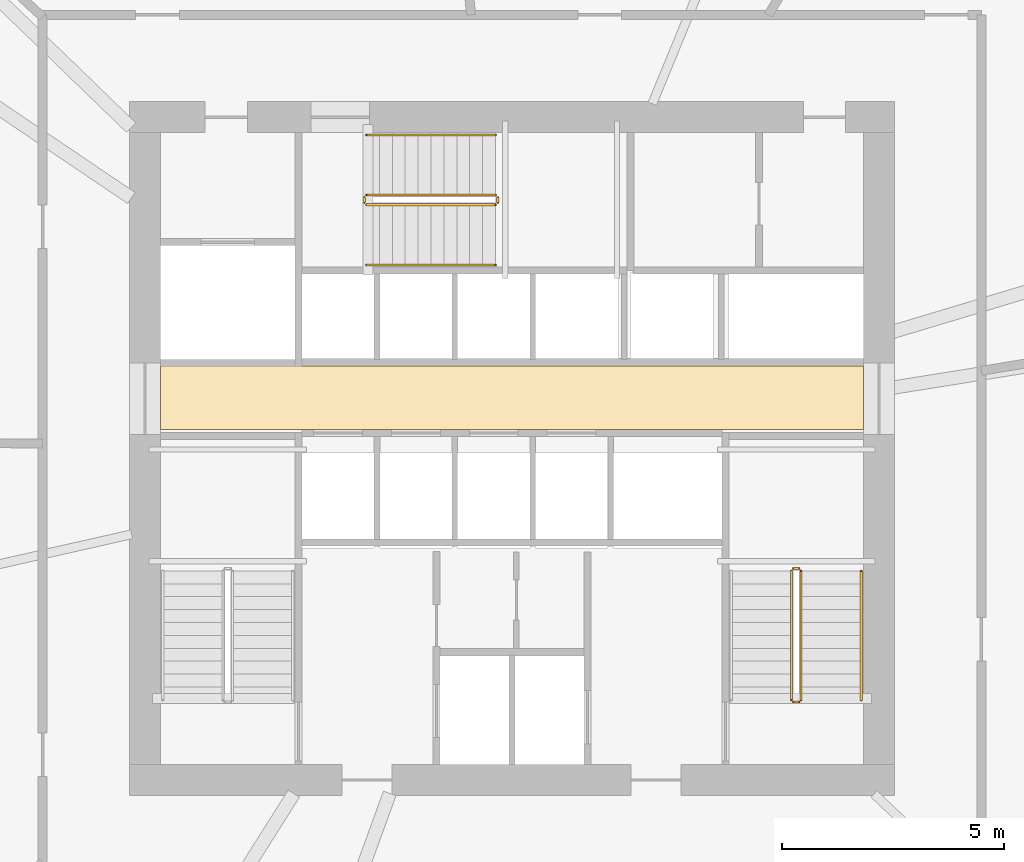
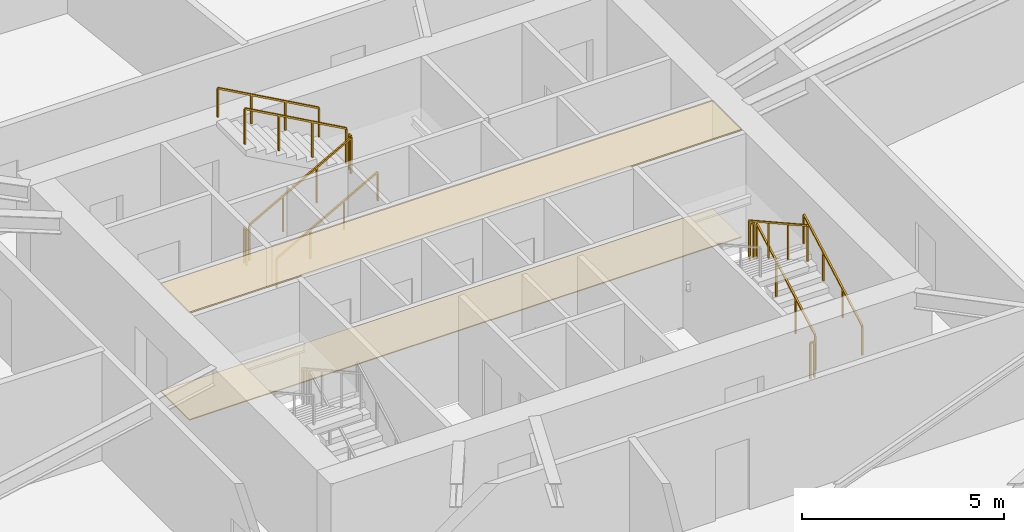
# One storey, part 18 of 19: 11 railings, 2 coverings.
"""IFC4 building model written with IfcOpenShell, lengths in metres."""

import ifcopenshell
import ifcopenshell.guid

model = None  # the IFC model being written
_history = None  # IfcOwnerHistory: only IFC2X3 demands one
_inside = {}  # id of a spatial element -> (the spatial element, [elements in it])
_under = {}  # id of a project, library or spatial element -> (it, [spatial elements below it])
_declared = {}  # id of a project -> (the project, [libraries it declares])
_typed = {}  # id of a type object -> (the type object, [elements of that type])
_made_of = {}  # id of a material, layer set ... -> (it, [elements and type objects made of it])


def new_model(schema):
    """Start an empty IFC model of exactly this schema.

    Asked for "IFC4X3", IfcOpenShell would pick the latest addendum, in which some entities
    have other attributes; the version numbers below select the first issue.
    IFC2X3 requires an IfcOwnerHistory on every rooted entity: one is made here for all.
    """
    global model, _history
    if schema == "IFC4X3":
        model = ifcopenshell.file(schema_version=(4, 3, 0, 0))
    else:
        model = ifcopenshell.file(schema=schema)
    _inside.clear()
    _under.clear()
    _declared.clear()
    _typed.clear()
    _made_of.clear()
    _history = None
    if model.schema == "IFC2X3":
        org = make("IfcOrganization", Name="unknown")
        user = make(
            "IfcPersonAndOrganization",
            ThePerson=make("IfcPerson", FamilyName="unknown"),
            TheOrganization=org,
        )
        app = make(
            "IfcApplication",
            ApplicationDeveloper=org,
            Version="unknown",
            ApplicationFullName="unknown",
            ApplicationIdentifier="unknown",
        )
        _history = make(
            "IfcOwnerHistory",
            OwningUser=user,
            OwningApplication=app,
            ChangeAction="ADDED",
            CreationDate=0,
        )
    return model


def make(cls, **values):
    """One entity of the class cls with the attributes given. An attribute that is None is left unset."""
    return model.create_entity(
        cls, **{name: value for name, value in values.items() if value is not None}
    )


def rooted(cls, **values):
    """An entity with a GlobalId (a new one), such as an element, a storey or a relation."""
    return make(cls, GlobalId=ifcopenshell.guid.new(), OwnerHistory=_history, **values)


def si_unit(unit_type, name, prefix=None):
    """IfcSIUnit, for example si_unit("LENGTHUNIT", "METRE", prefix="MILLI")."""
    return make("IfcSIUnit", UnitType=unit_type, Prefix=prefix, Name=name)


def assignment(units):
    """IfcUnitAssignment: the units of a project."""
    return None if units is None else make("IfcUnitAssignment", Units=units)


def point(xyz):
    """IfcCartesianPoint."""
    return None if xyz is None else make("IfcCartesianPoint", Coordinates=xyz)


def direction(xyz):
    """IfcDirection."""
    return None if xyz is None else make("IfcDirection", DirectionRatios=xyz)


def frame(location, z_axis=None, x_axis=None):
    """IfcAxis2Placement3D, a coordinate frame: its origin and axes. An axis left out is left unset."""
    return make(
        "IfcAxis2Placement3D",
        Location=point(location),
        Axis=direction(z_axis),
        RefDirection=direction(x_axis),
    )


def frame_2d(location, x_axis=None):
    """IfcAxis2Placement2D, a coordinate frame in the plane: its origin and x axis."""
    return make(
        "IfcAxis2Placement2D", Location=point(location), RefDirection=direction(x_axis)
    )


def origin():
    """The frame at (0, 0, 0) with its axes left unset."""
    return frame((0.0, 0.0, 0.0))


def origin_2d():
    """The frame at (0, 0) in the plane with its x axis left unset."""
    return frame_2d((0.0, 0.0))


def place(relative_to, where):
    """IfcLocalPlacement: puts the frame where relative to a parent placement (None: the world)."""
    return make(
        "IfcLocalPlacement", PlacementRelTo=relative_to, RelativePlacement=where
    )


def context(
    kind, dimensions, precision=None, world=None, true_north=None, identifier=None
):
    """IfcGeometricRepresentationContext, for example the 3D "Model" context."""
    return make(
        "IfcGeometricRepresentationContext",
        ContextIdentifier=identifier,
        ContextType=kind,
        CoordinateSpaceDimension=dimensions,
        Precision=precision,
        WorldCoordinateSystem=world,
        TrueNorth=true_north,
    )


def subcontext(parent, identifier, kind, view, scale=None):
    """IfcGeometricRepresentationSubContext, for example "Body" below "Model"."""
    return make(
        "IfcGeometricRepresentationSubContext",
        ContextIdentifier=identifier,
        ContextType=kind,
        ParentContext=parent,
        TargetScale=scale,
        TargetView=view,
    )


def project(units=None, contexts=None):
    """IfcProject with its units and contexts."""
    return rooted(
        "IfcProject",
        Name="project",
        RepresentationContexts=contexts,
        UnitsInContext=assignment(units),
    )


def spatial(cls, under=None, at=None, **own):
    """A site, building, storey or space (cls), placed at a placement, below another one or the project."""
    s = rooted(cls, ObjectPlacement=at, **own)
    if under is not None:
        _under.setdefault(under.id(), (under, []))[1].append(s)
    return s


def polyline(points):
    """IfcPolyline through the points."""
    return make("IfcPolyline", Points=[point(p) for p in points])


def profile(cls, at=None, kind="AREA", **sizes):
    """A parametric profile (cls). Its sizes go by their IFC names, for example OverallWidth=200.0."""
    return make(cls, ProfileType=kind, Position=at, **sizes)


def rectangle(**sizes):
    """IfcRectangleProfileDef."""
    return profile("IfcRectangleProfileDef", **sizes)


def outline(outer, holes=None, kind="AREA"):
    """IfcArbitraryClosedProfileDef: a profile drawn as a closed curve; with holes, ...WithVoids."""
    if holes is None:
        return make("IfcArbitraryClosedProfileDef", ProfileType=kind, OuterCurve=outer)
    return make(
        "IfcArbitraryProfileDefWithVoids",
        ProfileType=kind,
        OuterCurve=outer,
        InnerCurves=holes,
    )


def extrude(swept, where, along, depth):
    """IfcExtrudedAreaSolid: the profile swept, set in the frame where, extruded along a direction by depth."""
    return make(
        "IfcExtrudedAreaSolid",
        SweptArea=swept,
        Position=where,
        ExtrudedDirection=direction(along),
        Depth=depth,
    )


def shape(context_of_items, identifier, shape_type, items):
    """IfcShapeRepresentation: the items that make up one representation, for example the "Body"."""
    return make(
        "IfcShapeRepresentation",
        ContextOfItems=context_of_items,
        RepresentationIdentifier=identifier,
        RepresentationType=shape_type,
        Items=items,
    )


def material(Name=None, Category=None):
    """IfcMaterial."""
    return make("IfcMaterial", Name=Name, Category=Category)


def layer(
    of_material, thickness, ventilated=None, Name=None, Category=None, Priority=None
):
    """IfcMaterialLayer: one layer of a wall or slab, of a material (None: an air gap)."""
    return make(
        "IfcMaterialLayer",
        Material=of_material,
        LayerThickness=thickness,
        IsVentilated=ventilated,
        Name=Name,
        Category=Category,
        Priority=Priority,
    )


def layer_set(layers, Name=None):
    """IfcMaterialLayerSet."""
    return make("IfcMaterialLayerSet", MaterialLayers=layers, LayerSetName=Name)


def made_of(thing, what):
    """Note that an element or type object is made of a material, layer set ...; save() writes the relation."""
    if what is not None:
        _made_of.setdefault(what.id(), (what, []))[1].append(thing)
    return thing


def type_object(cls, material=None, **own):
    """A type object (cls), such as IfcWallType, which elements share."""
    return made_of(rooted(cls, **own), material)


def element(
    cls,
    number,
    at=None,
    inside=None,
    cuts=None,
    type_object=None,
    material=None,
    context=None,
    identifier="Body",
    shape_type=None,
    held_by="IfcProductDefinitionShape",
    body=None,
    shapes=None,
    **own,
):
    """One element of the class cls, such as IfcWall. Its Tag is "e" and its number.

    at: its placement. inside: the storey or other place that contains it. cuts: it is an
    opening in that element (IfcRelVoidsElement). A single representation is given by context,
    identifier, shape_type and body (its items); several are given by shapes. held_by: the class
    of the entity that holds the representations. save() writes the other relations.
    """
    e = rooted(cls, Tag="e%d" % number, ObjectPlacement=at, **own)
    if body is not None:
        shapes = [shape(context, identifier, shape_type, body)]
    if shapes is not None:
        e.Representation = make(held_by, Representations=shapes)
    if inside is not None:
        _inside.setdefault(inside.id(), (inside, []))[1].append(e)
    if cuts is not None:
        rooted(
            "IfcRelVoidsElement", RelatingBuildingElement=cuts, RelatedOpeningElement=e
        )
    if type_object is not None:
        _typed.setdefault(type_object.id(), (type_object, []))[1].append(e)
    return made_of(e, material)


def aggregate(whole, parts):
    """IfcRelAggregates: a whole, such as a stair, and the parts it consists of."""
    return rooted("IfcRelAggregates", RelatingObject=whole, RelatedObjects=parts)


def save(model, path):
    """Write the relations noted so far, then the file.

    IfcRelAggregates (storeys below a building ...), IfcRelContainedInSpatialStructure (elements
    in a storey), IfcRelDefinesByType, IfcRelAssociatesMaterial and IfcRelDeclares: one each for
    every whole, place, type object, material and project.
    """
    for whole, parts in _under.values():
        aggregate(whole, parts)
    for where, things in _inside.values():
        rooted(
            "IfcRelContainedInSpatialStructure",
            RelatedElements=things,
            RelatingStructure=where,
        )
    for kind, things in _typed.values():
        rooted("IfcRelDefinesByType", RelatedObjects=things, RelatingType=kind)
    for what, things in _made_of.values():
        rooted("IfcRelAssociatesMaterial", RelatedObjects=things, RelatingMaterial=what)
    for by, libraries in _declared.values():
        rooted("IfcRelDeclares", RelatingContext=by, RelatedDefinitions=libraries)
    model.write(path)


model = new_model("IFC4")

# Units and contexts
model_context = context("Model", 3, precision=1e-05, world=origin(), true_north=direction((0.0, 1.0)))
body_context = subcontext(model_context, "Body", "Model", "MODEL_VIEW")
ifc_project = project(units=[si_unit("LENGTHUNIT", "METRE"), si_unit("AREAUNIT", "SQUARE_METRE"), si_unit("VOLUMEUNIT", "CUBIC_METRE"), si_unit("PLANEANGLEUNIT", "RADIAN"), si_unit("MASSUNIT", "GRAM", prefix="KILO")], contexts=[model_context])

# Site, building, storey
site_placement = place(None, origin())
site = spatial("IfcSite", under=ifc_project, at=site_placement, CompositionType="ELEMENT")
building_placement = place(site_placement, origin())
building = spatial("IfcBuilding", under=site, at=building_placement, Name="Olszyna Solenne Hotel", CompositionType="ELEMENT")
storey_placement = place(building_placement, frame((0.0, 0.0, 84.39990234375)))
storey = spatial("IfcBuildingStorey", under=building, at=storey_placement, Name="L21", CompositionType="ELEMENT", Elevation=84.39990234375)

# Coverings
ifc_material_1 = material(Name="Mineral wool acoustic ceiling")
ifc_layer_1 = layer(ifc_material_1, 0.0400390625, Name="Mineral wool acoustic ceiling")
ifc_layer_set_1 = layer_set([ifc_layer_1], Name="Mineral wool acoustic ceiling")
covering_type_1 = type_object("IfcCoveringType", Name="CL-AC1", PredefinedType="CEILING", material=ifc_layer_set_1)
covering_1_placement = place(storey_placement, frame((0.0, 0.0, 3.239990234375)))
element("IfcCovering", 1, at=covering_1_placement, inside=storey, type_object=covering_type_1, Name="Lift lobby acoustic tile ceiling CL-L21-01", PredefinedType="CEILING", context=body_context, shape_type="SweptSolid", body=[
    extrude(outline(polyline([(30.10009765625, 27.030029296875), (45.89990234375, 27.030029296875), (45.89990234375, 28.4599609375), (30.10009765625, 28.4599609375), (30.10009765625, 27.030029296875)])), origin(), (0.0, 0.0, 1.0), 0.0400390625),
])
ifc_material_2 = material(Name="Ceramic floor tile")
ifc_layer_2 = layer(ifc_material_2, 0.030029296875, Name="Ceramic floor tile")
ifc_layer_set_2 = layer_set([ifc_layer_2], Name="Ceramic floor tile")
covering_type_2 = type_object("IfcCoveringType", Name="FL-TL1", PredefinedType="FLOORING", material=ifc_layer_set_2)
covering_2_placement = place(storey_placement, origin())
element("IfcCovering", 2, at=covering_2_placement, inside=storey, type_object=covering_type_2, Name="Lift lobby stoneware floor finish FLR-L21-01", PredefinedType="FLOORING", context=body_context, shape_type="SweptSolid", body=[
    extrude(outline(polyline([(30.10009765625, 27.030029296875), (45.89990234375, 27.030029296875), (45.89990234375, 28.4599609375), (30.10009765625, 28.4599609375), (30.10009765625, 27.030029296875)])), origin(), (0.0, 0.0, 1.0), 0.030029296875),
])

# Railings
ifc_material_3 = material(Name="Anodised bronze aluminium", Category="aluminium")
railing_type_1 = type_object("IfcRailingType", Name="GR-110", PredefinedType="BALUSTRADE", material=ifc_material_3)
railing_1_placement = place(storey_placement, frame((44.5, 20.949951171875, 0.161376953125)))
element("IfcRailing", 3, at=railing_1_placement, inside=storey, type_object=railing_type_1, Name="L21 ST2 stair guard 1", PredefinedType="BALUSTRADE", context=body_context, shape_type="SweptSolid", body=[
    extrude(rectangle(XDim=0.048095703125, YDim=0.048095703125, at=origin_2d()), frame((0.0, 0.0, 1.076171875), z_axis=(0.0, 0.873827439584, 0.48623616261), x_axis=(-1.0, 0.0, 0.0)), (0.0, 0.0, 1.0), 3.31884765625),
    extrude(rectangle(XDim=0.0419921875, YDim=0.0419921875, at=origin_2d()), origin(), (0.0, 0.0, 1.0), 1.052001953125),
    extrude(rectangle(XDim=0.0419921875, YDim=0.0419921875, at=origin_2d()), frame((0.0, 0.966796875, 0.537841796875)), (0.0, 0.0, 1.0), 1.052001953125),
    extrude(rectangle(XDim=0.0419921875, YDim=0.0419921875, at=origin_2d()), frame((0.0, 1.933349609375, 1.075927734375)), (0.0, 0.0, 1.0), 1.052001953125),
    extrude(rectangle(XDim=0.0419921875, YDim=0.0419921875, at=origin_2d()), frame((0.0, 2.900146484375, 1.61376953125)), (0.0, 0.0, 1.0), 1.052001953125),
])
railing_2_placement = place(storey_placement, frame((44.449951171875, 23.89990234375, 1.775146484375)))
element("IfcRailing", 4, at=railing_2_placement, inside=storey, type_object=railing_type_1, Name="L21 ST2 stair guard 2", PredefinedType="BALUSTRADE", context=body_context, shape_type="SweptSolid", body=[
    extrude(rectangle(XDim=0.048095703125, YDim=0.048095703125, at=origin_2d()), frame((0.0, 0.0, 1.076171875), z_axis=(-1.0, 0.0, 0.0), x_axis=(0.0, -1.0, 0.0)), (0.0, 0.0, 1.0), 0.119873046875),
    extrude(rectangle(XDim=0.0419921875, YDim=0.0419921875, at=origin_2d()), origin(), (0.0, 0.0, 1.0), 1.052001953125),
    extrude(rectangle(XDim=0.0419921875, YDim=0.0419921875, at=origin_2d()), frame((-0.119873046875, 0.0, 0.0)), (0.0, 0.0, 1.0), 1.052001953125),
])
railing_3_placement = place(storey_placement, frame((44.280029296875, 23.85009765625, 1.9365234375)))
element("IfcRailing", 5, at=railing_3_placement, inside=storey, type_object=railing_type_1, Name="L21 ST2 stair guard 3", PredefinedType="BALUSTRADE", context=body_context, shape_type="SweptSolid", body=[
    extrude(rectangle(XDim=0.048095703125, YDim=0.048095703125, at=origin_2d()), frame((0.0, 0.0, 1.076171875), z_axis=(0.0, -0.873858693841, 0.486179990537), x_axis=(1.0, 0.0, 0.0)), (0.0, 0.0, 1.0), 3.31884765625),
    extrude(rectangle(XDim=0.0419921875, YDim=0.0419921875, at=origin_2d()), origin(), (0.0, 0.0, 1.0), 1.052001953125),
    extrude(rectangle(XDim=0.0419921875, YDim=0.0419921875, at=origin_2d()), frame((0.0, -0.966796875, 0.537841796875)), (0.0, 0.0, 1.0), 1.052001953125),
    extrude(rectangle(XDim=0.0419921875, YDim=0.0419921875, at=origin_2d()), frame((0.0, -1.933349609375, 1.07568359375)), (0.0, 0.0, 1.0), 1.052001953125),
    extrude(rectangle(XDim=0.0419921875, YDim=0.0419921875, at=origin_2d()), frame((0.0, -2.900146484375, 1.613525390625)), (0.0, 0.0, 1.0), 1.052001953125),
])
railing_4_placement = place(storey_placement, frame((44.449951171875, 20.89990234375, 0.0)))
element("IfcRailing", 6, at=railing_4_placement, inside=storey, type_object=railing_type_1, Name="L21 ST2 stair guard 4", PredefinedType="BALUSTRADE", context=body_context, shape_type="SweptSolid", body=[
    extrude(rectangle(XDim=0.048095703125, YDim=0.048095703125, at=origin_2d()), frame((0.0, 0.0, 1.076171875), z_axis=(-1.0, 0.0, 0.0), x_axis=(0.0, -1.0, 0.0)), (0.0, 0.0, 1.0), 0.119873046875),
    extrude(rectangle(XDim=0.0419921875, YDim=0.0419921875, at=origin_2d()), origin(), (0.0, 0.0, 1.0), 1.052001953125),
    extrude(rectangle(XDim=0.0419921875, YDim=0.0419921875, at=origin_2d()), frame((-0.119873046875, 0.0, 0.0)), (0.0, 0.0, 1.0), 1.052001953125),
])
railing_5_placement = place(storey_placement, frame((34.72998046875, 32.080078125, 0.161376953125)))
element("IfcRailing", 7, at=railing_5_placement, inside=storey, type_object=railing_type_1, Name="L21 ST3 stair guard 1", PredefinedType="BALUSTRADE", context=body_context, shape_type="SweptSolid", body=[
    extrude(rectangle(XDim=0.048095703125, YDim=0.048095703125, at=origin_2d()), frame((0.0, 0.0, 1.076171875), z_axis=(0.873810046276, 0.0, 0.486267419253), x_axis=(0.0, 1.0, 0.0)), (0.0, 0.0, 1.0), 3.318603515625),
    extrude(rectangle(XDim=0.0419921875, YDim=0.0419921875, at=origin_2d()), origin(), (0.0, 0.0, 1.0), 1.052001953125),
    extrude(rectangle(XDim=0.0419921875, YDim=0.0419921875, at=origin_2d()), frame((0.966552734375, 0.0, 0.537841796875)), (0.0, 0.0, 1.0), 1.052001953125),
    extrude(rectangle(XDim=0.0419921875, YDim=0.0419921875, at=origin_2d()), frame((1.933349609375, 0.0, 1.075927734375)), (0.0, 0.0, 1.0), 1.052001953125),
    extrude(rectangle(XDim=0.0419921875, YDim=0.0419921875, at=origin_2d()), frame((2.89990234375, 0.0, 1.61376953125)), (0.0, 0.0, 1.0), 1.052001953125),
])
railing_6_placement = place(storey_placement, frame((37.679931640625, 32.1298828125, 1.775146484375)))
element("IfcRailing", 8, at=railing_6_placement, inside=storey, type_object=railing_type_1, Name="L21 ST3 stair guard 2", PredefinedType="BALUSTRADE", context=body_context, shape_type="SweptSolid", body=[
    extrude(rectangle(XDim=0.048095703125, YDim=0.048095703125, at=origin_2d()), frame((0.0, 0.0, 1.076171875), z_axis=(0.0, 1.0, 0.0), x_axis=(-1.0, 0.0, 0.0)), (0.0, 0.0, 1.0), 0.1201171875),
    extrude(rectangle(XDim=0.0419921875, YDim=0.0419921875, at=origin_2d()), origin(), (0.0, 0.0, 1.0), 1.052001953125),
    extrude(rectangle(XDim=0.0419921875, YDim=0.0419921875, at=origin_2d()), frame((0.0, 0.1201171875, 0.0)), (0.0, 0.0, 1.0), 1.052001953125),
])
railing_7_placement = place(storey_placement, frame((37.6298828125, 32.300048828125, 1.9365234375)))
element("IfcRailing", 9, at=railing_7_placement, inside=storey, type_object=railing_type_1, Name="L21 ST3 stair guard 3", PredefinedType="BALUSTRADE", context=body_context, shape_type="SweptSolid", body=[
    extrude(rectangle(XDim=0.048095703125, YDim=0.048095703125, at=origin_2d()), frame((0.0, 0.0, 1.076171875), z_axis=(-0.873841303929, 0.0, 0.486211245805), x_axis=(0.0, -1.0, 0.0)), (0.0, 0.0, 1.0), 3.318603515625),
    extrude(rectangle(XDim=0.0419921875, YDim=0.0419921875, at=origin_2d()), origin(), (0.0, 0.0, 1.0), 1.052001953125),
    extrude(rectangle(XDim=0.0419921875, YDim=0.0419921875, at=origin_2d()), frame((-0.966552734375, 0.0, 0.537841796875)), (0.0, 0.0, 1.0), 1.052001953125),
    extrude(rectangle(XDim=0.0419921875, YDim=0.0419921875, at=origin_2d()), frame((-1.933349609375, 0.0, 1.07568359375)), (0.0, 0.0, 1.0), 1.052001953125),
    extrude(rectangle(XDim=0.0419921875, YDim=0.0419921875, at=origin_2d()), frame((-2.89990234375, 0.0, 1.613525390625)), (0.0, 0.0, 1.0), 1.052001953125),
])
railing_8_placement = place(storey_placement, frame((34.679931640625, 32.1298828125, 0.0)))
element("IfcRailing", 10, at=railing_8_placement, inside=storey, type_object=railing_type_1, Name="L21 ST3 stair guard 4", PredefinedType="BALUSTRADE", context=body_context, shape_type="SweptSolid", body=[
    extrude(rectangle(XDim=0.048095703125, YDim=0.048095703125, at=origin_2d()), frame((0.0, 0.0, 1.076171875), z_axis=(0.0, 1.0, 0.0), x_axis=(-1.0, 0.0, 0.0)), (0.0, 0.0, 1.0), 0.1201171875),
    extrude(rectangle(XDim=0.0419921875, YDim=0.0419921875, at=origin_2d()), origin(), (0.0, 0.0, 1.0), 1.052001953125),
    extrude(rectangle(XDim=0.0419921875, YDim=0.0419921875, at=origin_2d()), frame((0.0, 0.1201171875, 0.0)), (0.0, 0.0, 1.0), 1.052001953125),
])
ifc_material_4 = material(Name="Steel S355J2", Category="steel")
railing_type_2 = type_object("IfcRailingType", Name="HR-090", PredefinedType="HANDRAIL", material=ifc_material_4)
railing_9_placement = place(storey_placement, frame((45.85009765625, 20.949951171875, 0.161376953125)))
element("IfcRailing", 11, at=railing_9_placement, inside=storey, type_object=railing_type_2, Name="L21 ST2 stair handrail 1", PredefinedType="HANDRAIL", context=body_context, shape_type="SweptSolid", body=[
    extrude(rectangle(XDim=0.048095703125, YDim=0.048095703125, at=origin_2d()), frame((0.0, 0.0, 0.8759765625), z_axis=(0.0, 0.873827439584, 0.48623616261), x_axis=(-1.0, 0.0, 0.0)), (0.0, 0.0, 1.0), 3.31884765625),
    extrude(rectangle(XDim=0.0419921875, YDim=0.0419921875, at=origin_2d()), origin(), (0.0, 0.0, 1.0), 0.851806640625),
    extrude(rectangle(XDim=0.0419921875, YDim=0.0419921875, at=origin_2d()), frame((0.0, 0.966796875, 0.537841796875)), (0.0, 0.0, 1.0), 0.851806640625),
    extrude(rectangle(XDim=0.0419921875, YDim=0.0419921875, at=origin_2d()), frame((0.0, 1.933349609375, 1.075927734375)), (0.0, 0.0, 1.0), 0.851806640625),
    extrude(rectangle(XDim=0.0419921875, YDim=0.0419921875, at=origin_2d()), frame((0.0, 2.900146484375, 1.61376953125)), (0.0, 0.0, 1.0), 0.851806640625),
])
railing_10_placement = place(storey_placement, frame((34.72998046875, 30.72998046875, 0.161376953125)))
element("IfcRailing", 12, at=railing_10_placement, inside=storey, type_object=railing_type_2, Name="L21 ST3 stair handrail 1", PredefinedType="HANDRAIL", context=body_context, shape_type="SweptSolid", body=[
    extrude(rectangle(XDim=0.048095703125, YDim=0.048095703125, at=origin_2d()), frame((0.0, 0.0, 0.8759765625), z_axis=(0.873810046276, 0.0, 0.486267419253), x_axis=(0.0, 1.0, 0.0)), (0.0, 0.0, 1.0), 3.318603515625),
    extrude(rectangle(XDim=0.0419921875, YDim=0.0419921875, at=origin_2d()), origin(), (0.0, 0.0, 1.0), 0.851806640625),
    extrude(rectangle(XDim=0.0419921875, YDim=0.0419921875, at=origin_2d()), frame((0.966552734375, 0.0, 0.537841796875)), (0.0, 0.0, 1.0), 0.851806640625),
    extrude(rectangle(XDim=0.0419921875, YDim=0.0419921875, at=origin_2d()), frame((1.933349609375, 0.0, 1.075927734375)), (0.0, 0.0, 1.0), 0.851806640625),
    extrude(rectangle(XDim=0.0419921875, YDim=0.0419921875, at=origin_2d()), frame((2.89990234375, 0.0, 1.61376953125)), (0.0, 0.0, 1.0), 0.851806640625),
])
railing_11_placement = place(storey_placement, frame((37.6298828125, 33.64990234375, 1.9365234375)))
element("IfcRailing", 13, at=railing_11_placement, inside=storey, type_object=railing_type_2, Name="L21 ST3 stair handrail 2", PredefinedType="HANDRAIL", context=body_context, shape_type="SweptSolid", body=[
    extrude(rectangle(XDim=0.048095703125, YDim=0.048095703125, at=origin_2d()), frame((0.0, 0.0, 0.8759765625), z_axis=(-0.873841303929, 0.0, 0.486211245805), x_axis=(0.0, -1.0, 0.0)), (0.0, 0.0, 1.0), 3.318603515625),
    extrude(rectangle(XDim=0.0419921875, YDim=0.0419921875, at=origin_2d()), origin(), (0.0, 0.0, 1.0), 0.851806640625),
    extrude(rectangle(XDim=0.0419921875, YDim=0.0419921875, at=origin_2d()), frame((-0.966552734375, 0.0, 0.537841796875)), (0.0, 0.0, 1.0), 0.851806640625),
    extrude(rectangle(XDim=0.0419921875, YDim=0.0419921875, at=origin_2d()), frame((-1.933349609375, 0.0, 1.07568359375)), (0.0, 0.0, 1.0), 0.851806640625),
    extrude(rectangle(XDim=0.0419921875, YDim=0.0419921875, at=origin_2d()), frame((-2.89990234375, 0.0, 1.613525390625)), (0.0, 0.0, 1.0), 0.851806640625),
])

save(model, "model.ifc")
